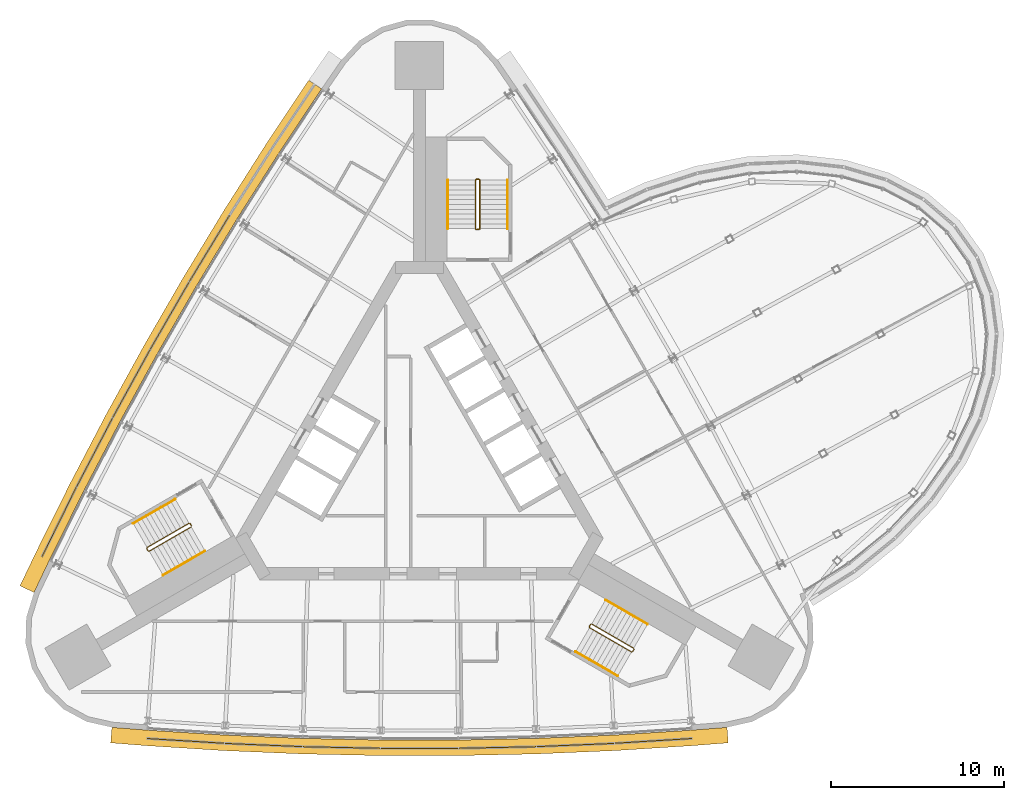
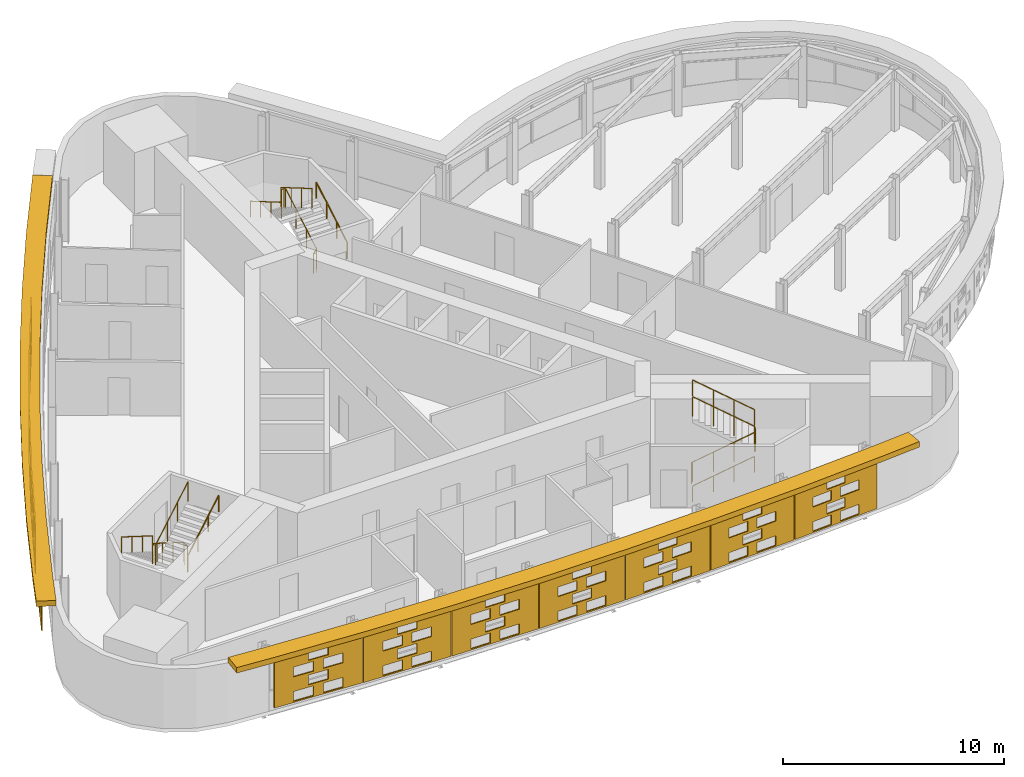
# One storey, part 13 of 15: 14 shading devices, 9 railings.
"""IFC4 building model written with IfcOpenShell, lengths in metres."""

from ifc_helpers import new_model, si_unit, direction, frame, origin, origin_2d, place, context, subcontext, project, spatial, polyline, circle, outline, extrude, material, material_profile, profile_set, type_object, element, save


model = new_model("IFC4")

# Units and contexts
model_context = context("Model", 3, precision=1e-05, world=origin(), true_north=direction((0.0, 1.0)))
body_context = subcontext(model_context, "Body", "Model", "MODEL_VIEW")
ifc_project = project(units=[si_unit("LENGTHUNIT", "METRE"), si_unit("AREAUNIT", "SQUARE_METRE"), si_unit("VOLUMEUNIT", "CUBIC_METRE"), si_unit("PLANEANGLEUNIT", "RADIAN"), si_unit("MASSUNIT", "GRAM", prefix="KILO")], contexts=[model_context])

# Site, building, storey
site_placement = place(None, origin())
site = spatial("IfcSite", under=ifc_project, at=site_placement, CompositionType="ELEMENT")
building_placement = place(site_placement, origin())
building = spatial("IfcBuilding", under=site, at=building_placement, Name="Noor Cloister Tower", CompositionType="ELEMENT")
storey_placement = place(building_placement, frame((0.0, 0.0, 181.5)))
storey = spatial("IfcBuildingStorey", under=building, at=storey_placement, Name="L46", CompositionType="ELEMENT", Elevation=181.5)

# Shading devices
ifc_material_1 = material(Name="Limestone", Category="masonry")
ifc_material_profile = material_profile(ifc_material_1, outline(polyline([(-2.22998046875, -1.35009765625), (2.22998046875, -1.35009765625), (2.22998046875, 1.35009765625), (-2.22998046875, 1.35009765625), (-2.22998046875, -1.35009765625)]), holes=[polyline([(-1.25, -1.282470703125), (-0.25, -1.282470703125), (-0.25, -0.742431640625), (-1.25, -0.742431640625), (-1.25, -1.282470703125)]), polyline([(0.25, -1.282470703125), (1.25, -1.282470703125), (1.25, -0.742431640625), (0.25, -0.742431640625), (0.25, -1.282470703125)]), polyline([(-0.5, -0.607421875), (0.5, -0.607421875), (0.5, -0.0673828125), (-0.5, -0.0673828125), (-0.5, -0.607421875)]), polyline([(-1.25, 0.0673828125), (-0.25, 0.0673828125), (-0.25, 0.607421875), (-1.25, 0.607421875), (-1.25, 0.0673828125)]), polyline([(0.25, 0.0673828125), (1.25, 0.0673828125), (1.25, 0.607421875), (0.25, 0.607421875), (0.25, 0.0673828125)]), polyline([(-0.5, 0.742431640625), (0.5, 0.742431640625), (0.5, 1.282470703125), (-0.5, 1.282470703125), (-0.5, 0.742431640625)])]), Name="Woven screen 32 percent open")
ifc_profile_set = profile_set([ifc_material_profile], Name="Limestone")
shading_device_type_1 = type_object("IfcShadingDeviceType", Name="SCREEN woven limestone 32 percent open", PredefinedType="USERDEFINED", material=ifc_profile_set)
shading_device_1_placement = place(storey_placement, frame((-12.10888671875, 12.197509765625, 1.85009765625), z_axis=(-0.854980050906, 0.518660883962, 0.0), x_axis=(-0.518660883962, -0.854980050906, 0.0)))
element("IfcShadingDevice", 1, at=shading_device_1_placement, inside=storey, type_object=shading_device_type_1, Name="SCREEN L46 3", ObjectType="SCREEN", PredefinedType="USERDEFINED", context=body_context, shape_type="SweptSolid", body=[
    extrude(outline(polyline([(-2.22998046875, -1.35009765625), (2.22998046875, -1.35009765625), (2.22998046875, 1.35009765625), (-2.22998046875, 1.35009765625), (-2.22998046875, -1.35009765625)]), holes=[polyline([(-1.25, -1.282470703125), (-0.25, -1.282470703125), (-0.25, -0.742431640625), (-1.25, -0.742431640625), (-1.25, -1.282470703125)]), polyline([(0.25, -1.282470703125), (1.25, -1.282470703125), (1.25, -0.742431640625), (0.25, -0.742431640625), (0.25, -1.282470703125)]), polyline([(-0.5, -0.607421875), (0.5, -0.607421875), (0.5, -0.0673828125), (-0.5, -0.0673828125), (-0.5, -0.607421875)]), polyline([(-1.25, 0.0673828125), (-0.25, 0.0673828125), (-0.25, 0.607421875), (-1.25, 0.607421875), (-1.25, 0.0673828125)]), polyline([(0.25, 0.0673828125), (1.25, 0.0673828125), (1.25, 0.607421875), (0.25, 0.607421875), (0.25, 0.0673828125)]), polyline([(-0.5, 0.742431640625), (0.5, 0.742431640625), (0.5, 1.282470703125), (-0.5, 1.282470703125), (-0.5, 0.742431640625)])]), origin(), (0.0, 0.0, 1.0), 0.060302734375),
])
shading_device_2_placement = place(storey_placement, frame((-14.40478515625, 8.316650390625, 1.85009765625), z_axis=(-0.865982457891, 0.500074377092, 0.0), x_axis=(-0.500074377092, -0.865982457891, 0.0)))
element("IfcShadingDevice", 2, at=shading_device_2_placement, inside=storey, type_object=shading_device_type_1, Name="SCREEN L46 4", ObjectType="SCREEN", PredefinedType="USERDEFINED", context=body_context, shape_type="SweptSolid", body=[
    extrude(outline(polyline([(-2.22998046875, -1.35009765625), (2.22998046875, -1.35009765625), (2.22998046875, 1.35009765625), (-2.22998046875, 1.35009765625), (-2.22998046875, -1.35009765625)]), holes=[polyline([(-1.25, -1.282470703125), (-0.25, -1.282470703125), (-0.25, -0.742431640625), (-1.25, -0.742431640625), (-1.25, -1.282470703125)]), polyline([(0.25, -1.282470703125), (1.25, -1.282470703125), (1.25, -0.742431640625), (0.25, -0.742431640625), (0.25, -1.282470703125)]), polyline([(-0.5, -0.607421875), (0.5, -0.607421875), (0.5, -0.0673828125), (-0.5, -0.0673828125), (-0.5, -0.607421875)]), polyline([(-1.25, 0.0673828125), (-0.25, 0.0673828125), (-0.25, 0.607421875), (-1.25, 0.607421875), (-1.25, 0.0673828125)]), polyline([(0.25, 0.0673828125), (1.25, 0.0673828125), (1.25, 0.607421875), (0.25, 0.607421875), (0.25, 0.0673828125)]), polyline([(-0.5, 0.742431640625), (0.5, 0.742431640625), (0.5, 1.282470703125), (-0.5, 1.282470703125), (-0.5, 0.742431640625)])]), origin(), (0.0, 0.0, 1.0), 0.06005859375),
])
shading_device_3_placement = place(storey_placement, frame((-16.617919921875, 4.387939453125, 1.85009765625), z_axis=(-0.876645997325, 0.481135942718, 0.0), x_axis=(-0.481135942718, -0.876645997325, 0.0)))
element("IfcShadingDevice", 3, at=shading_device_3_placement, inside=storey, type_object=shading_device_type_1, Name="SCREEN L46 5", ObjectType="SCREEN", PredefinedType="USERDEFINED", context=body_context, shape_type="SweptSolid", body=[
    extrude(outline(polyline([(-2.22998046875, -1.35009765625), (2.22998046875, -1.35009765625), (2.22998046875, 1.35009765625), (-2.22998046875, 1.35009765625), (-2.22998046875, -1.35009765625)]), holes=[polyline([(-1.25, -1.282470703125), (-0.25, -1.282470703125), (-0.25, -0.742431640625), (-1.25, -0.742431640625), (-1.25, -1.282470703125)]), polyline([(0.25, -1.282470703125), (1.25, -1.282470703125), (1.25, -0.742431640625), (0.25, -0.742431640625), (0.25, -1.282470703125)]), polyline([(-0.5, -0.607421875), (0.5, -0.607421875), (0.5, -0.0673828125), (-0.5, -0.0673828125), (-0.5, -0.607421875)]), polyline([(-1.25, 0.0673828125), (-0.25, 0.0673828125), (-0.25, 0.607421875), (-1.25, 0.607421875), (-1.25, 0.0673828125)]), polyline([(0.25, 0.0673828125), (1.25, 0.0673828125), (1.25, 0.607421875), (0.25, 0.607421875), (0.25, 0.0673828125)]), polyline([(-0.5, 0.742431640625), (0.5, 0.742431640625), (0.5, 1.282470703125), (-0.5, 1.282470703125), (-0.5, 0.742431640625)])]), origin(), (0.0, 0.0, 1.0), 0.059814453125),
])
for number, where, z_axis, x_axis, name in (
    (4, (-18.747314453125, 0.4130859375, 1.85009765625), (-0.886149575817, 0.463399319464, 0.0), (-0.463399319464, -0.886149575817, 0.0), "SCREEN L46 6"),
    (5, (-20.7919921875, -3.605712890625, 1.85009765625), (-0.896848817686, 0.442337199673, 0.0), (-0.442337199673, -0.896848817686, 0.0), "SCREEN L46 7"),
):
    element("IfcShadingDevice", number, at=place(storey_placement, frame(where, z_axis=z_axis, x_axis=x_axis)), inside=storey, type_object=shading_device_type_1, Name=name, ObjectType="SCREEN", PredefinedType="USERDEFINED", context=body_context, shape_type="SweptSolid", body=[
        extrude(outline(polyline([(-2.22998046875, -1.35009765625), (2.22998046875, -1.35009765625), (2.22998046875, 1.35009765625), (-2.22998046875, 1.35009765625), (-2.22998046875, -1.35009765625)]), holes=[polyline([(-1.25, -1.282470703125), (-0.25, -1.282470703125), (-0.25, -0.742431640625), (-1.25, -0.742431640625), (-1.25, -1.282470703125)]), polyline([(0.25, -1.282470703125), (1.25, -1.282470703125), (1.25, -0.742431640625), (0.25, -0.742431640625), (0.25, -1.282470703125)]), polyline([(-0.5, -0.607421875), (0.5, -0.607421875), (0.5, -0.0673828125), (-0.5, -0.0673828125), (-0.5, -0.607421875)]), polyline([(-1.25, 0.0673828125), (-0.25, 0.0673828125), (-0.25, 0.607421875), (-1.25, 0.607421875), (-1.25, 0.0673828125)]), polyline([(0.25, 0.0673828125), (1.25, 0.0673828125), (1.25, 0.607421875), (0.25, 0.607421875), (0.25, 0.0673828125)]), polyline([(-0.5, 0.742431640625), (0.5, 0.742431640625), (0.5, 1.282470703125), (-0.5, 1.282470703125), (-0.5, 0.742431640625)])]), origin(), (0.0, 0.0, 1.0), 0.06005859375),
    ])
for number, where, z_axis, x_axis, name in (
    (6, (-13.518798828125, -16.20361328125, 1.85009765625), (-0.06111006328, -0.998131033565, 0.0), (0.998131033565, -0.06111006328, 0.0), "SCREEN L46 1"),
    (7, (-9.015869140625, -16.4423828125, 1.85009765625), (-0.040782369514, -0.999168053101, 0.0), (0.999168053101, -0.040782369514, 0.0), "SCREEN L46 2"),
):
    element("IfcShadingDevice", number, at=place(storey_placement, frame(where, z_axis=z_axis, x_axis=x_axis)), inside=storey, type_object=shading_device_type_1, Name=name, ObjectType="SCREEN", PredefinedType="USERDEFINED", context=body_context, shape_type="SweptSolid", body=[
        extrude(outline(polyline([(-2.22998046875, -1.35009765625), (2.22998046875, -1.35009765625), (2.22998046875, 1.35009765625), (-2.22998046875, 1.35009765625), (-2.22998046875, -1.35009765625)]), holes=[polyline([(-1.25, -1.282470703125), (-0.25, -1.282470703125), (-0.25, -0.742431640625), (-1.25, -0.742431640625), (-1.25, -1.282470703125)]), polyline([(0.25, -1.282470703125), (1.25, -1.282470703125), (1.25, -0.742431640625), (0.25, -0.742431640625), (0.25, -1.282470703125)]), polyline([(-0.5, -0.607421875), (0.5, -0.607421875), (0.5, -0.0673828125), (-0.5, -0.0673828125), (-0.5, -0.607421875)]), polyline([(-1.25, 0.0673828125), (-0.25, 0.0673828125), (-0.25, 0.607421875), (-1.25, 0.607421875), (-1.25, 0.0673828125)]), polyline([(0.25, 0.0673828125), (1.25, 0.0673828125), (1.25, 0.607421875), (0.25, 0.607421875), (0.25, 0.0673828125)]), polyline([(-0.5, 0.742431640625), (0.5, 0.742431640625), (0.5, 1.282470703125), (-0.5, 1.282470703125), (-0.5, 0.742431640625)])]), origin(), (0.0, 0.0, 1.0), 0.059814453125),
    ])
for number, where, z_axis, x_axis, name in (
    (8, (-4.509033203125, -16.58544921875, 1.85009765625), (-0.020321006241, -0.999793507033, 0.0), (0.999793507033, -0.020321006241, 0.0), "SCREEN L46 3"),
    (9, (0.0, -16.63330078125, 1.85009765625), (0.0, -1.0, 0.0), (1.0, 0.0, 0.0), "SCREEN L46 4"),
    (10, (4.509033203125, -16.58544921875, 1.85009765625), (0.020321006241, -0.999793507033, 0.0), (0.999793507033, 0.020321006241, 0.0), "SCREEN L46 5"),
):
    element("IfcShadingDevice", number, at=place(storey_placement, frame(where, z_axis=z_axis, x_axis=x_axis)), inside=storey, type_object=shading_device_type_1, Name=name, ObjectType="SCREEN", PredefinedType="USERDEFINED", context=body_context, shape_type="SweptSolid", body=[
        extrude(outline(polyline([(-2.22998046875, -1.35009765625), (2.22998046875, -1.35009765625), (2.22998046875, 1.35009765625), (-2.22998046875, 1.35009765625), (-2.22998046875, -1.35009765625)]), holes=[polyline([(-1.25, -1.282470703125), (-0.25, -1.282470703125), (-0.25, -0.742431640625), (-1.25, -0.742431640625), (-1.25, -1.282470703125)]), polyline([(0.25, -1.282470703125), (1.25, -1.282470703125), (1.25, -0.742431640625), (0.25, -0.742431640625), (0.25, -1.282470703125)]), polyline([(-0.5, -0.607421875), (0.5, -0.607421875), (0.5, -0.0673828125), (-0.5, -0.0673828125), (-0.5, -0.607421875)]), polyline([(-1.25, 0.0673828125), (-0.25, 0.0673828125), (-0.25, 0.607421875), (-1.25, 0.607421875), (-1.25, 0.0673828125)]), polyline([(0.25, 0.0673828125), (1.25, 0.0673828125), (1.25, 0.607421875), (0.25, 0.607421875), (0.25, 0.0673828125)]), polyline([(-0.5, 0.742431640625), (0.5, 0.742431640625), (0.5, 1.282470703125), (-0.5, 1.282470703125), (-0.5, 0.742431640625)])]), origin(), (0.0, 0.0, 1.0), 0.06005859375),
    ])
for number, where, z_axis, x_axis, name in (
    (11, (9.015869140625, -16.4423828125, 1.85009765625), (0.040782369514, -0.999168053101, 0.0), (0.999168053101, 0.040782369514, 0.0), "SCREEN L46 6"),
    (12, (13.518798828125, -16.20361328125, 1.85009765625), (0.06111006328, -0.998131033565, 0.0), (0.998131033565, 0.06111006328, 0.0), "SCREEN L46 7"),
):
    element("IfcShadingDevice", number, at=place(storey_placement, frame(where, z_axis=z_axis, x_axis=x_axis)), inside=storey, type_object=shading_device_type_1, Name=name, ObjectType="SCREEN", PredefinedType="USERDEFINED", context=body_context, shape_type="SweptSolid", body=[
        extrude(outline(polyline([(-2.22998046875, -1.35009765625), (2.22998046875, -1.35009765625), (2.22998046875, 1.35009765625), (-2.22998046875, 1.35009765625), (-2.22998046875, -1.35009765625)]), holes=[polyline([(-1.25, -1.282470703125), (-0.25, -1.282470703125), (-0.25, -0.742431640625), (-1.25, -0.742431640625), (-1.25, -1.282470703125)]), polyline([(0.25, -1.282470703125), (1.25, -1.282470703125), (1.25, -0.742431640625), (0.25, -0.742431640625), (0.25, -1.282470703125)]), polyline([(-0.5, -0.607421875), (0.5, -0.607421875), (0.5, -0.0673828125), (-0.5, -0.0673828125), (-0.5, -0.607421875)]), polyline([(-1.25, 0.0673828125), (-0.25, 0.0673828125), (-0.25, 0.607421875), (-1.25, 0.607421875), (-1.25, 0.0673828125)]), polyline([(0.25, 0.0673828125), (1.25, 0.0673828125), (1.25, 0.607421875), (0.25, 0.607421875), (0.25, 0.0673828125)]), polyline([(-0.5, 0.742431640625), (0.5, 0.742431640625), (0.5, 1.282470703125), (-0.5, 1.282470703125), (-0.5, 0.742431640625)])]), origin(), (0.0, 0.0, 1.0), 0.059814453125),
    ])
ifc_material_2 = material(Name="Limestone", Category="masonry")
shading_device_type_2 = type_object("IfcShadingDeviceType", Name="SUNSHADE limestone band 900", PredefinedType="USERDEFINED", material=ifc_material_2)
shading_device_4_placement = place(storey_placement, frame((0.0, 0.0, 3.300048828125)))
element("IfcShadingDevice", 13, at=shading_device_4_placement, inside=storey, type_object=shading_device_type_2, Name="SUNSHADE L46 1", ObjectType="SUNSHADE", PredefinedType="USERDEFINED", context=body_context, shape_type="SweptSolid", body=[
    extrude(outline(polyline([(-6.401611328125, 21.931884765625), (-8.899658203125, 18.177490234375), (-11.322998046875, 14.36328125), (-13.664794921875, 10.498291015625), (-15.92431640625, 6.5849609375), (-18.100341796875, 2.624267578125), (-20.192138671875, -1.38134765625), (-22.197265625, -5.42822265625), (-23.077392578125, -7.275146484375), (-22.264892578125, -7.662353515625), (-21.387939453125, -5.821533203125), (-19.389892578125, -1.78955078125), (-17.30712890625, 2.19921875), (-15.14013671875, 6.14306640625), (-12.89013671875, 10.0400390625), (-10.55810546875, 13.888671875), (-8.145263671875, 17.68701171875), (-5.65234375, 21.43310546875), (-6.401611328125, 21.931884765625)])), origin(), (0.0, 0.0, 1.0), 0.300048828125),
])
shading_device_5_placement = place(storey_placement, frame((0.0, 0.0, 3.300048828125)))
element("IfcShadingDevice", 14, at=shading_device_5_placement, inside=storey, type_object=shading_device_type_2, Name="SUNSHADE L46 2", ObjectType="SUNSHADE", PredefinedType="USERDEFINED", context=body_context, shape_type="SweptSolid", body=[
    extrude(outline(polyline([(-17.839111328125, -16.34814453125), (-15.799560546875, -16.50927734375), (-11.29248046875, -16.796142578125), (-6.77734375, -16.987548828125), (-2.259521484375, -17.083251953125), (2.259521484375, -17.083251953125), (6.77734375, -16.987548828125), (11.29248046875, -16.796142578125), (15.799560546875, -16.50927734375), (17.839111328125, -16.34814453125), (17.76806640625, -15.450927734375), (15.735595703125, -15.611572265625), (11.24462890625, -15.8974609375), (6.748779296875, -16.087890625), (2.25, -16.183349609375), (-2.25, -16.183349609375), (-6.748779296875, -16.087890625), (-11.24462890625, -15.8974609375), (-15.735595703125, -15.611572265625), (-17.76806640625, -15.450927734375), (-17.839111328125, -16.34814453125)])), origin(), (0.0, 0.0, 1.0), 0.300048828125),
])

# Railings
ifc_material_3 = material(Name="Stainless steel", Category="steel")
railing_type_1 = type_object("IfcRailingType", Name="Stair guard 1100", PredefinedType="GUARDRAIL", material=ifc_material_3)
railing_1_placement = place(storey_placement, frame((3.435546875, 13.306396484375, 0.0)))
element("IfcRailing", 15, at=railing_1_placement, inside=storey, type_object=railing_type_1, Name="Stair guard ST1 L46", PredefinedType="GUARDRAIL", context=body_context, shape_type="SweptSolid", body=[
    extrude(circle(Radius=0.02392578125, at=origin_2d()), frame((0.0, 0.0, 1.076171875), z_axis=(-1.0, 0.0, 0.0), x_axis=(0.0, -1.0, 0.0)), (0.0, 0.0, 1.0), 0.14990234375),
    extrude(circle(Radius=0.02392578125, at=origin_2d()), frame((-0.14990234375, 0.0, 1.076171875), z_axis=(0.759870394187, 0.190199549216, 0.621627795), x_axis=(-0.242814311512, 0.970072785993, 0.0)), (0.0, 0.0, 1.0), 0.26318359375),
    extrude(circle(Radius=0.02392578125, at=origin_2d()), frame((0.050048828125, 0.050048828125, 1.23974609375), z_axis=(0.0, 0.863360870873, 0.504586966384), x_axis=(-1.0, 0.0, 0.0)), (0.0, 0.0, 1.0), 3.2431640625),
    extrude(circle(Radius=0.02392578125, at=origin_2d()), frame((0.050048828125, 2.85009765625, 2.8759765625), z_axis=(-0.708833529934, 0.705375805398, 0.0), x_axis=(-0.705375805398, -0.708833529934, 0.0)), (0.0, 0.0, 1.0), 0.070556640625),
    extrude(circle(Radius=0.02392578125, at=origin_2d()), frame((0.0, 2.89990234375, 2.8759765625), z_axis=(-1.0, 0.0, 0.0), x_axis=(0.0, -1.0, 0.0)), (0.0, 0.0, 1.0), 0.14990234375),
    extrude(circle(Radius=0.02392578125, at=origin_2d()), frame((-0.14990234375, 2.89990234375, 2.8759765625), z_axis=(-0.280916556609, -0.279546231943, 0.91811752648), x_axis=(0.705375805398, -0.708833529934, 0.0)), (0.0, 0.0, 1.0), 0.17822265625),
    extrude(circle(Radius=0.02392578125, at=origin_2d()), frame((-0.199951171875, 2.85009765625, 3.03955078125), z_axis=(0.0, -0.863360870873, 0.504586966384), x_axis=(1.0, 0.0, 0.0)), (0.0, 0.0, 1.0), 3.2431640625),
    extrude(circle(Radius=0.02099609375, at=origin_2d()), origin(), (0.0, 0.0, 1.0), 1.052001953125),
    extrude(circle(Radius=0.02099609375, at=origin_2d()), frame((-0.14990234375, 0.0, 0.0)), (0.0, 0.0, 1.0), 1.052001953125),
    extrude(circle(Radius=0.02099609375, at=origin_2d()), frame((0.050048828125, 0.050048828125, 0.16357421875)), (0.0, 0.0, 1.0), 1.052001953125),
    extrude(circle(Radius=0.02099609375, at=origin_2d()), frame((0.050048828125, 0.9833984375, 0.708984375)), (0.0, 0.0, 1.0), 1.052001953125),
    extrude(circle(Radius=0.02099609375, at=origin_2d()), frame((0.050048828125, 1.916748046875, 1.254638671875)), (0.0, 0.0, 1.0), 1.052001953125),
    extrude(circle(Radius=0.02099609375, at=origin_2d()), frame((0.050048828125, 2.85009765625, 1.800048828125)), (0.0, 0.0, 1.0), 1.052001953125),
    extrude(circle(Radius=0.02099609375, at=origin_2d()), frame((0.0, 2.89990234375, 1.800048828125)), (0.0, 0.0, 1.0), 1.052001953125),
    extrude(circle(Radius=0.02099609375, at=origin_2d()), frame((-0.14990234375, 2.89990234375, 1.800048828125)), (0.0, 0.0, 1.0), 1.052001953125),
    extrude(circle(Radius=0.02099609375, at=origin_2d()), frame((-0.199951171875, 2.85009765625, 1.963623046875)), (0.0, 0.0, 1.0), 1.052001953125),
    extrude(circle(Radius=0.02099609375, at=origin_2d()), frame((-0.199951171875, 1.916748046875, 2.509033203125)), (0.0, 0.0, 1.0), 1.052001953125),
    extrude(circle(Radius=0.02099609375, at=origin_2d()), frame((-0.199951171875, 0.9833984375, 3.0546875)), (0.0, 0.0, 1.0), 1.052001953125),
    extrude(circle(Radius=0.02099609375, at=origin_2d()), frame((-0.199951171875, 0.050048828125, 3.60009765625)), (0.0, 0.0, 1.0), 1.052001953125),
])
railing_2_placement = place(storey_placement, frame((-13.241455078125, -3.677734375, 0.0)))
element("IfcRailing", 16, at=railing_2_placement, inside=storey, type_object=railing_type_1, Name="Stair guard ST2 L46", PredefinedType="GUARDRAIL", context=body_context, shape_type="SweptSolid", body=[
    extrude(circle(Radius=0.02392578125, at=origin_2d()), frame((0.0, 0.0, 1.076171875), z_axis=(0.499112439033, -0.866537231285, 0.0), x_axis=(0.866537231285, 0.499112439033, 0.0)), (0.0, 0.0, 1.0), 0.150146484375),
    extrude(circle(Radius=0.02392578125, at=origin_2d()), frame((0.074951171875, -0.130126953125, 1.076171875), z_axis=(-0.544565797804, 0.563119998752, 0.621565731736), x_axis=(-0.718850276695, -0.695164929852, 0.0)), (0.0, 0.0, 1.0), 0.26318359375),
    extrude(circle(Radius=0.02392578125, at=origin_2d()), frame((-0.068359375, 0.01806640625, 1.23974609375), z_axis=(-0.747689811644, -0.431660630283, 0.504607813879), x_axis=(0.49998411664, -0.866034573852, 0.0)), (0.0, 0.0, 1.0), 3.2431640625),
    extrude(circle(Radius=0.02392578125, at=origin_2d()), frame((-2.4931640625, -1.3818359375, 2.8759765625), z_axis=(-0.258736085224, -0.965948051503, 0.0), x_axis=(0.965948051503, -0.258736085224, 0.0)), (0.0, 0.0, 1.0), 0.07080078125),
    extrude(circle(Radius=0.02392578125, at=origin_2d()), frame((-2.511474609375, -1.4501953125, 2.8759765625), z_axis=(0.499816412211, -0.866131372301, 0.0), x_axis=(0.866131372301, 0.499816412211, 0.0)), (0.0, 0.0, 1.0), 0.14990234375),
    extrude(circle(Radius=0.02392578125, at=origin_2d()), frame((-2.4365234375, -1.580078125, 2.8759765625), z_axis=(0.383552647116, -0.102737316192, 0.917786691313), x_axis=(0.258736085224, 0.965948051503, 0.0)), (0.0, 0.0, 1.0), 0.17822265625),
    extrude(circle(Radius=0.02392578125, at=origin_2d()), frame((-2.3681640625, -1.598388671875, 3.03955078125), z_axis=(0.747665513933, 0.431721881032, 0.504591415616), x_axis=(-0.500049511043, 0.865996816683, 0.0)), (0.0, 0.0, 1.0), 3.2431640625),
    extrude(circle(Radius=0.02099609375, at=origin_2d()), origin(), (0.0, 0.0, 1.0), 1.052001953125),
    extrude(circle(Radius=0.02099609375, at=origin_2d()), frame((0.074951171875, -0.130126953125, 0.0)), (0.0, 0.0, 1.0), 1.052001953125),
    extrude(circle(Radius=0.02099609375, at=origin_2d()), frame((-0.068359375, 0.01806640625, 0.16357421875)), (0.0, 0.0, 1.0), 1.052001953125),
    extrude(circle(Radius=0.02099609375, at=origin_2d()), frame((-0.876708984375, -0.448486328125, 0.708984375)), (0.0, 0.0, 1.0), 1.052001953125),
    extrude(circle(Radius=0.02099609375, at=origin_2d()), frame((-1.684814453125, -0.915283203125, 1.254638671875)), (0.0, 0.0, 1.0), 1.052001953125),
    extrude(circle(Radius=0.02099609375, at=origin_2d()), frame((-2.4931640625, -1.3818359375, 1.800048828125)), (0.0, 0.0, 1.0), 1.052001953125),
    extrude(circle(Radius=0.02099609375, at=origin_2d()), frame((-2.511474609375, -1.4501953125, 1.800048828125)), (0.0, 0.0, 1.0), 1.052001953125),
    extrude(circle(Radius=0.02099609375, at=origin_2d()), frame((-2.4365234375, -1.580078125, 1.800048828125)), (0.0, 0.0, 1.0), 1.052001953125),
    extrude(circle(Radius=0.02099609375, at=origin_2d()), frame((-2.3681640625, -1.598388671875, 1.963623046875)), (0.0, 0.0, 1.0), 1.052001953125),
    extrude(circle(Radius=0.02099609375, at=origin_2d()), frame((-1.559814453125, -1.131591796875, 2.509033203125)), (0.0, 0.0, 1.0), 1.052001953125),
    extrude(circle(Radius=0.02099609375, at=origin_2d()), frame((-0.751708984375, -0.6650390625, 3.0546875)), (0.0, 0.0, 1.0), 1.052001953125),
    extrude(circle(Radius=0.02099609375, at=origin_2d()), frame((0.056640625, -0.1982421875, 3.60009765625)), (0.0, 0.0, 1.0), 1.052001953125),
])
railing_3_placement = place(storey_placement, frame((9.805908203125, -9.628662109375, 0.0)))
element("IfcRailing", 17, at=railing_3_placement, inside=storey, type_object=railing_type_1, Name="Stair guard ST3 L46", PredefinedType="GUARDRAIL", context=body_context, shape_type="SweptSolid", body=[
    extrude(circle(Radius=0.02392578125, at=origin_2d()), frame((0.0, 0.0, 1.076171875), z_axis=(0.499112439033, 0.866537231285, 0.0), x_axis=(-0.866537231285, 0.499112439033, 0.0)), (0.0, 0.0, 1.0), 0.150146484375),
    extrude(circle(Radius=0.02392578125, at=origin_2d()), frame((0.074951171875, 0.130126953125, 1.076171875), z_axis=(-0.215214839654, -0.753251938789, 0.621525614518), x_axis=(0.961523947641, -0.274721127897, 0.0)), (0.0, 0.0, 1.0), 0.26318359375),
    extrude(circle(Radius=0.02392578125, at=origin_2d()), frame((0.018310546875, -0.068115234375, 1.23974609375), z_axis=(0.747665513933, -0.431721881032, 0.504591415616), x_axis=(0.500049511043, 0.865996816683, 0.0)), (0.0, 0.0, 1.0), 3.2431640625),
    extrude(circle(Radius=0.02392578125, at=origin_2d()), frame((2.443115234375, -1.46826171875, 2.8759765625), z_axis=(0.965948051503, 0.258736085224, 0.0), x_axis=(-0.258736085224, 0.965948051503, 0.0)), (0.0, 0.0, 1.0), 0.07080078125),
    extrude(circle(Radius=0.02392578125, at=origin_2d()), frame((2.511474609375, -1.449951171875, 2.8759765625), z_axis=(0.499816412211, 0.866131372301, 0.0), x_axis=(-0.866131372301, 0.499816412211, 0.0)), (0.0, 0.0, 1.0), 0.14990234375),
    extrude(circle(Radius=0.02392578125, at=origin_2d()), frame((2.58642578125, -1.320068359375, 2.8759765625), z_axis=(-0.102737316192, 0.383552647116, 0.917786691313), x_axis=(-0.965948051503, -0.258736085224, 0.0)), (0.0, 0.0, 1.0), 0.17822265625),
    extrude(circle(Radius=0.02392578125, at=origin_2d()), frame((2.568115234375, -1.251708984375, 3.03955078125), z_axis=(-0.747689811644, 0.431660630283, 0.504607813879), x_axis=(-0.49998411664, -0.866034573852, 0.0)), (0.0, 0.0, 1.0), 3.2431640625),
    extrude(circle(Radius=0.02099609375, at=origin_2d()), origin(), (0.0, 0.0, 1.0), 1.052001953125),
    extrude(circle(Radius=0.02099609375, at=origin_2d()), frame((0.074951171875, 0.130126953125, 0.0)), (0.0, 0.0, 1.0), 1.052001953125),
    extrude(circle(Radius=0.02099609375, at=origin_2d()), frame((0.018310546875, -0.068115234375, 0.16357421875)), (0.0, 0.0, 1.0), 1.052001953125),
    extrude(circle(Radius=0.02099609375, at=origin_2d()), frame((0.82666015625, -0.534912109375, 0.708984375)), (0.0, 0.0, 1.0), 1.052001953125),
    extrude(circle(Radius=0.02099609375, at=origin_2d()), frame((1.634765625, -1.00146484375, 1.254638671875)), (0.0, 0.0, 1.0), 1.052001953125),
    extrude(circle(Radius=0.02099609375, at=origin_2d()), frame((2.443115234375, -1.46826171875, 1.800048828125)), (0.0, 0.0, 1.0), 1.052001953125),
    extrude(circle(Radius=0.02099609375, at=origin_2d()), frame((2.511474609375, -1.449951171875, 1.800048828125)), (0.0, 0.0, 1.0), 1.052001953125),
    extrude(circle(Radius=0.02099609375, at=origin_2d()), frame((2.58642578125, -1.320068359375, 1.800048828125)), (0.0, 0.0, 1.0), 1.052001953125),
    extrude(circle(Radius=0.02099609375, at=origin_2d()), frame((2.568115234375, -1.251708984375, 1.963623046875)), (0.0, 0.0, 1.0), 1.052001953125),
    extrude(circle(Radius=0.02099609375, at=origin_2d()), frame((1.759765625, -0.78515625, 2.509033203125)), (0.0, 0.0, 1.0), 1.052001953125),
    extrude(circle(Radius=0.02099609375, at=origin_2d()), frame((0.95166015625, -0.318359375, 3.0546875)), (0.0, 0.0, 1.0), 1.052001953125),
    extrude(circle(Radius=0.02099609375, at=origin_2d()), frame((0.143310546875, 0.148193359375, 3.60009765625)), (0.0, 0.0, 1.0), 1.052001953125),
])
ifc_material_4 = material(Name="Stainless steel", Category="steel")
railing_type_2 = type_object("IfcRailingType", Name="Stair handrail 900", PredefinedType="HANDRAIL", material=ifc_material_4)
railing_4_placement = place(storey_placement, frame((5.085693359375, 13.3564453125, 0.16357421875)))
element("IfcRailing", 18, at=railing_4_placement, inside=storey, type_object=railing_type_2, Name="Stair handrail ST1 L46 1", PredefinedType="HANDRAIL", context=body_context, shape_type="SweptSolid", body=[
    extrude(circle(Radius=0.02392578125, at=origin_2d()), frame((0.0, 0.0, 0.8759765625), z_axis=(0.0, 0.863360870873, 0.504586966384), x_axis=(-1.0, 0.0, 0.0)), (0.0, 0.0, 1.0), 3.2431640625),
    extrude(circle(Radius=0.02099609375, at=origin_2d()), origin(), (0.0, 0.0, 1.0), 0.851806640625),
    extrude(circle(Radius=0.02099609375, at=origin_2d()), frame((0.0, 0.933349609375, 0.54541015625)), (0.0, 0.0, 1.0), 0.851806640625),
    extrude(circle(Radius=0.02099609375, at=origin_2d()), frame((0.0, 1.86669921875, 1.091064453125)), (0.0, 0.0, 1.0), 0.851806640625),
    extrude(circle(Radius=0.02099609375, at=origin_2d()), frame((0.0, 2.800048828125, 1.636474609375)), (0.0, 0.0, 1.0), 0.851806640625),
])
railing_5_placement = place(storey_placement, frame((1.6357421875, 16.156494140625, 1.963623046875)))
element("IfcRailing", 19, at=railing_5_placement, inside=storey, type_object=railing_type_2, Name="Stair handrail ST1 L46 2", PredefinedType="HANDRAIL", context=body_context, shape_type="SweptSolid", body=[
    extrude(circle(Radius=0.02392578125, at=origin_2d()), frame((0.0, 0.0, 0.8759765625), z_axis=(0.0, -0.863360870873, 0.504586966384), x_axis=(1.0, 0.0, 0.0)), (0.0, 0.0, 1.0), 3.2431640625),
    extrude(circle(Radius=0.02099609375, at=origin_2d()), origin(), (0.0, 0.0, 1.0), 0.851806640625),
    extrude(circle(Radius=0.02099609375, at=origin_2d()), frame((0.0, -0.933349609375, 0.54541015625)), (0.0, 0.0, 1.0), 0.851806640625),
    extrude(circle(Radius=0.02099609375, at=origin_2d()), frame((0.0, -1.86669921875, 1.091064453125)), (0.0, 0.0, 1.0), 0.851806640625),
    extrude(circle(Radius=0.02099609375, at=origin_2d()), frame((0.0, -2.800048828125, 1.636474609375)), (0.0, 0.0, 1.0), 0.851806640625),
])
railing_6_placement = place(storey_placement, frame((-14.10986328125, -2.27392578125, 0.16357421875)))
element("IfcRailing", 20, at=railing_6_placement, inside=storey, type_object=railing_type_2, Name="Stair handrail ST2 L46 1", PredefinedType="HANDRAIL", context=body_context, shape_type="SweptSolid", body=[
    extrude(circle(Radius=0.02392578125, at=origin_2d()), frame((0.0, 0.0, 0.8759765625), z_axis=(-0.747689811644, -0.431660630283, 0.504607813879), x_axis=(0.49998411664, -0.866034573852, 0.0)), (0.0, 0.0, 1.0), 3.2431640625),
    extrude(circle(Radius=0.02099609375, at=origin_2d()), origin(), (0.0, 0.0, 1.0), 0.851806640625),
    extrude(circle(Radius=0.02099609375, at=origin_2d()), frame((-0.808349609375, -0.466552734375, 0.54541015625)), (0.0, 0.0, 1.0), 0.851806640625),
    extrude(circle(Radius=0.02099609375, at=origin_2d()), frame((-1.616455078125, -0.933349609375, 1.091064453125)), (0.0, 0.0, 1.0), 0.851806640625),
    extrude(circle(Radius=0.02099609375, at=origin_2d()), frame((-2.4248046875, -1.39990234375, 1.636474609375)), (0.0, 0.0, 1.0), 0.851806640625),
])
railing_7_placement = place(storey_placement, frame((-14.8095703125, -6.66162109375, 1.963623046875)))
element("IfcRailing", 21, at=railing_7_placement, inside=storey, type_object=railing_type_2, Name="Stair handrail ST2 L46 2", PredefinedType="HANDRAIL", context=body_context, shape_type="SweptSolid", body=[
    extrude(circle(Radius=0.02392578125, at=origin_2d()), frame((0.0, 0.0, 0.8759765625), z_axis=(0.747689811644, 0.431660630283, 0.504607813879), x_axis=(-0.49998411664, 0.866034573852, 0.0)), (0.0, 0.0, 1.0), 3.2431640625),
    extrude(circle(Radius=0.02099609375, at=origin_2d()), origin(), (0.0, 0.0, 1.0), 0.851806640625),
    extrude(circle(Radius=0.02099609375, at=origin_2d()), frame((0.808349609375, 0.466552734375, 0.54541015625)), (0.0, 0.0, 1.0), 0.851806640625),
    extrude(circle(Radius=0.02099609375, at=origin_2d()), frame((1.616455078125, 0.933349609375, 1.091064453125)), (0.0, 0.0, 1.0), 0.851806640625),
    extrude(circle(Radius=0.02099609375, at=origin_2d()), frame((2.4248046875, 1.39990234375, 1.636474609375)), (0.0, 0.0, 1.0), 0.851806640625),
])
railing_8_placement = place(storey_placement, frame((9.024169921875, -11.08251953125, 0.16357421875)))
element("IfcRailing", 22, at=railing_8_placement, inside=storey, type_object=railing_type_2, Name="Stair handrail ST3 L46 1", PredefinedType="HANDRAIL", context=body_context, shape_type="SweptSolid", body=[
    extrude(circle(Radius=0.02392578125, at=origin_2d()), frame((0.0, 0.0, 0.8759765625), z_axis=(0.747689811644, -0.431660630283, 0.504607813879), x_axis=(0.49998411664, 0.866034573852, 0.0)), (0.0, 0.0, 1.0), 3.2431640625),
    extrude(circle(Radius=0.02099609375, at=origin_2d()), origin(), (0.0, 0.0, 1.0), 0.851806640625),
    extrude(circle(Radius=0.02099609375, at=origin_2d()), frame((0.808349609375, -0.466552734375, 0.54541015625)), (0.0, 0.0, 1.0), 0.851806640625),
    extrude(circle(Radius=0.02099609375, at=origin_2d()), frame((1.616455078125, -0.933349609375, 1.091064453125)), (0.0, 0.0, 1.0), 0.851806640625),
    extrude(circle(Radius=0.02099609375, at=origin_2d()), frame((2.4248046875, -1.39990234375, 1.636474609375)), (0.0, 0.0, 1.0), 0.851806640625),
])
railing_9_placement = place(storey_placement, frame((13.174072265625, -9.49462890625, 1.963623046875)))
element("IfcRailing", 23, at=railing_9_placement, inside=storey, type_object=railing_type_2, Name="Stair handrail ST3 L46 2", PredefinedType="HANDRAIL", context=body_context, shape_type="SweptSolid", body=[
    extrude(circle(Radius=0.02392578125, at=origin_2d()), frame((0.0, 0.0, 0.8759765625), z_axis=(-0.747689811644, 0.431660630283, 0.504607813879), x_axis=(-0.49998411664, -0.866034573852, 0.0)), (0.0, 0.0, 1.0), 3.2431640625),
    extrude(circle(Radius=0.02099609375, at=origin_2d()), origin(), (0.0, 0.0, 1.0), 0.851806640625),
    extrude(circle(Radius=0.02099609375, at=origin_2d()), frame((-0.808349609375, 0.466552734375, 0.54541015625)), (0.0, 0.0, 1.0), 0.851806640625),
    extrude(circle(Radius=0.02099609375, at=origin_2d()), frame((-1.616455078125, 0.933349609375, 1.091064453125)), (0.0, 0.0, 1.0), 0.851806640625),
    extrude(circle(Radius=0.02099609375, at=origin_2d()), frame((-2.4248046875, 1.39990234375, 1.636474609375)), (0.0, 0.0, 1.0), 0.851806640625),
])

save(model, "model.ifc")
